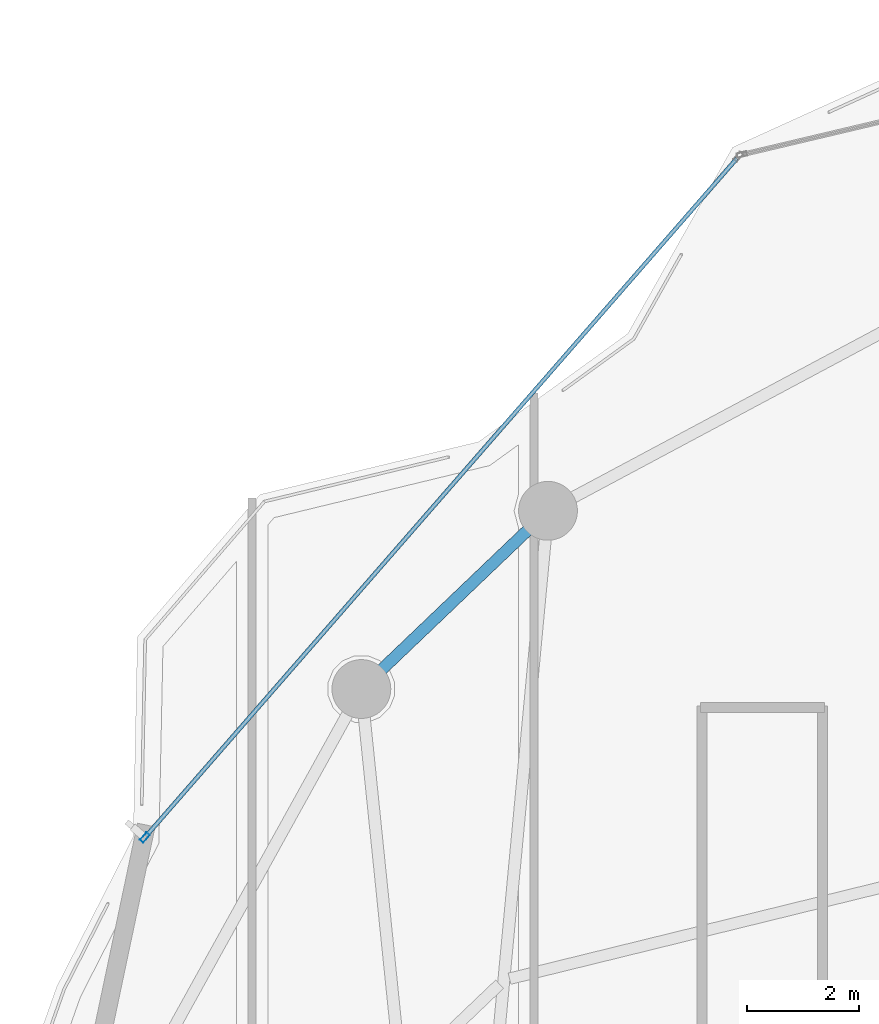
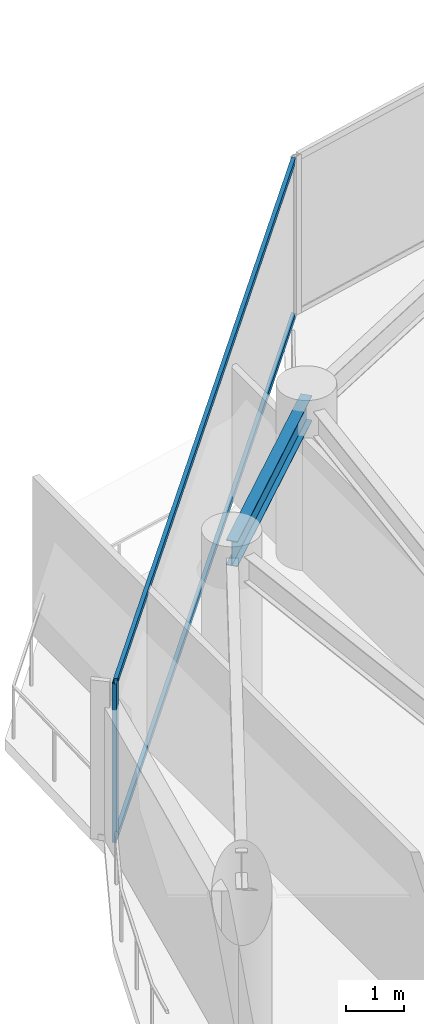
# One storey, part 16 of 29: 3 members, 1 beam, 1 element without a shape of its own.
"""IFC4 building model written with IfcOpenShell, lengths in metres."""

from ifc_helpers import new_model, si_unit, direction, frame, origin, origin_2d, place, context, subcontext, project, spatial, hollow_rectangle, i_section, extrude, material, layer, layer_set, material_profile, profile_set, type_object, element, aggregate, save


model = new_model("IFC4")

# Units and contexts
model_context = context("Model", 3, precision=1e-05, world=origin(), true_north=direction((0.0, 1.0)))
body_context = subcontext(model_context, "Body", "Model", "MODEL_VIEW")
ifc_project = project(units=[si_unit("LENGTHUNIT", "METRE"), si_unit("AREAUNIT", "SQUARE_METRE"), si_unit("VOLUMEUNIT", "CUBIC_METRE"), si_unit("PLANEANGLEUNIT", "RADIAN"), si_unit("MASSUNIT", "GRAM", prefix="KILO")], contexts=[model_context])

# Site, building, storey
site_placement = place(None, origin())
site = spatial("IfcSite", under=ifc_project, at=site_placement, CompositionType="ELEMENT")
building_placement = place(site_placement, origin())
building = spatial("IfcBuilding", under=site, at=building_placement, Name="Kazevale Care Tower and Concert Hall", CompositionType="ELEMENT")
storey_placement = place(building_placement, frame((0.0, 0.0, 213.60009765625)))
storey = spatial("IfcBuildingStorey", under=building, at=storey_placement, Name="L56", CompositionType="ELEMENT", Elevation=213.60009765625)

# Curtain wall, members
ifc_material_1 = material(Name="Aluminium 6063-T6 and Low-E Glass", Category="aluminium")
ifc_layer = layer(ifc_material_1, 0.179931640625)
ifc_layer_set = layer_set([ifc_layer], Name="Aluminium 6063-T6 and Low-E Glass")
curtain_wall_type = type_object("IfcCurtainWallType", Name="Convex Checkerboard Finned Curtain Wall CW-2", PredefinedType="NOTDEFINED", material=ifc_layer_set)
curtain_wall_placement = place(storey_placement, origin())
curtain_wall = element("IfcCurtainWall", 1, at=curtain_wall_placement, inside=storey, type_object=curtain_wall_type, Name="cw:L56:f14", PredefinedType="NOTDEFINED")
ifc_material_2 = material(Name="Aluminium 6063-T6", Category="aluminium")
ifc_material_profile_1 = material_profile(ifc_material_2, hollow_rectangle(XDim=0.080078125, YDim=0.179931640625, WallThickness=0.0048828125, at=origin_2d()), Name="ALU80x180x5")
ifc_profile_set_1 = profile_set([ifc_material_profile_1], Name="Aluminium 6063-T6")
member_type_1 = type_object("IfcMemberType", Name="CW-2 Mullion ALU80x180x5", PredefinedType="MULLION", material=ifc_profile_set_1)
member_1_placement = place(storey_placement, frame((16.55419921875, 49.17919921875, 0.0), z_axis=(0.0, 0.0, 1.0), x_axis=(-0.753738225685, 0.657174776708, 0.0)))
member_1 = element("IfcMember", 2, at=member_1_placement, type_object=member_type_1, Name="CW-2 mullion 1", PredefinedType="MULLION", context=body_context, shape_type="SweptSolid", body=[
    extrude(hollow_rectangle(XDim=0.080078125, YDim=0.179931640625, WallThickness=0.0048828125, at=origin_2d()), origin(), (0.0, 0.0, 1.0), 3.35986328125),
])
ifc_material_profile_2 = material_profile(ifc_material_2, hollow_rectangle(XDim=0.074951171875, YDim=0.1201171875, WallThickness=0.00390625, at=origin_2d()), Name="ALU75x120x4")
ifc_profile_set_2 = profile_set([ifc_material_profile_2], Name="Aluminium 6063-T6")
member_type_2 = type_object("IfcMemberType", Name="CW-2 Transom ALU75x120x4", PredefinedType="USERDEFINED", material=ifc_profile_set_2)
member_2_placement = place(storey_placement, frame((16.58056640625, 49.209228515625, 0.037353515625), z_axis=(0.657173569472, 0.753739278257, 0.0), x_axis=(-0.753739278257, 0.657173569472, 0.0)))
member_2 = element("IfcMember", 3, at=member_2_placement, type_object=member_type_2, Name="CW-2 transom 1.1", ObjectType="TRANSOM", PredefinedType="USERDEFINED", context=body_context, shape_type="SweptSolid", body=[
    extrude(hollow_rectangle(XDim=0.074951171875, YDim=0.1201171875, WallThickness=0.00390625, at=origin_2d()), origin(), (0.0, 0.0, 1.0), 16.03662109375),
])
member_3_placement = place(storey_placement, frame((16.58056640625, 49.209228515625, 3.322509765625), z_axis=(0.657173569472, 0.753739278257, 0.0), x_axis=(-0.753739278257, 0.657173569472, 0.0)))
member_3 = element("IfcMember", 4, at=member_3_placement, type_object=member_type_2, Name="CW-2 transom 1.2", ObjectType="TRANSOM", PredefinedType="USERDEFINED", context=body_context, shape_type="SweptSolid", body=[
    extrude(hollow_rectangle(XDim=0.074951171875, YDim=0.1201171875, WallThickness=0.00390625, at=origin_2d()), origin(), (0.0, 0.0, 1.0), 16.03662109375),
])
aggregate(curtain_wall, [member_1, member_2, member_3])

# Beam
ifc_material_3 = material(Name="Steel ASTM A572 Gr 50", Category="steel")
ifc_material_profile_3 = material_profile(ifc_material_3, i_section(OverallWidth=0.208984375, OverallDepth=0.532958984375, WebThickness=0.01025390625, FlangeThickness=0.015625, at=origin_2d()), Name="W530x92")
ifc_profile_set_3 = profile_set([ifc_material_profile_3], Name="Steel ASTM A572 Gr 50")
beam_type = type_object("IfcBeamType", Name="Upper Ring Beam W530x92", PredefinedType="BEAM", material=ifc_profile_set_3)
beam_placement = place(storey_placement, frame((23.75, 55.010009765625, 3.093505859375), z_axis=(-0.723223118589, -0.690614451585, 0.0), x_axis=(0.690614451585, -0.723223118589, 0.0)))
element("IfcBeam", 5, at=beam_placement, inside=storey, type_object=beam_type, Name="beam:L56:ring:07", PredefinedType="BEAM", context=body_context, shape_type="SweptSolid", body=[
    extrude(i_section(OverallWidth=0.208984375, OverallDepth=0.532958984375, WebThickness=0.01025390625, FlangeThickness=0.015625, at=origin_2d()), origin(), (0.0, 0.0, 1.0), 4.6044921875),
])

save(model, "model.ifc")
